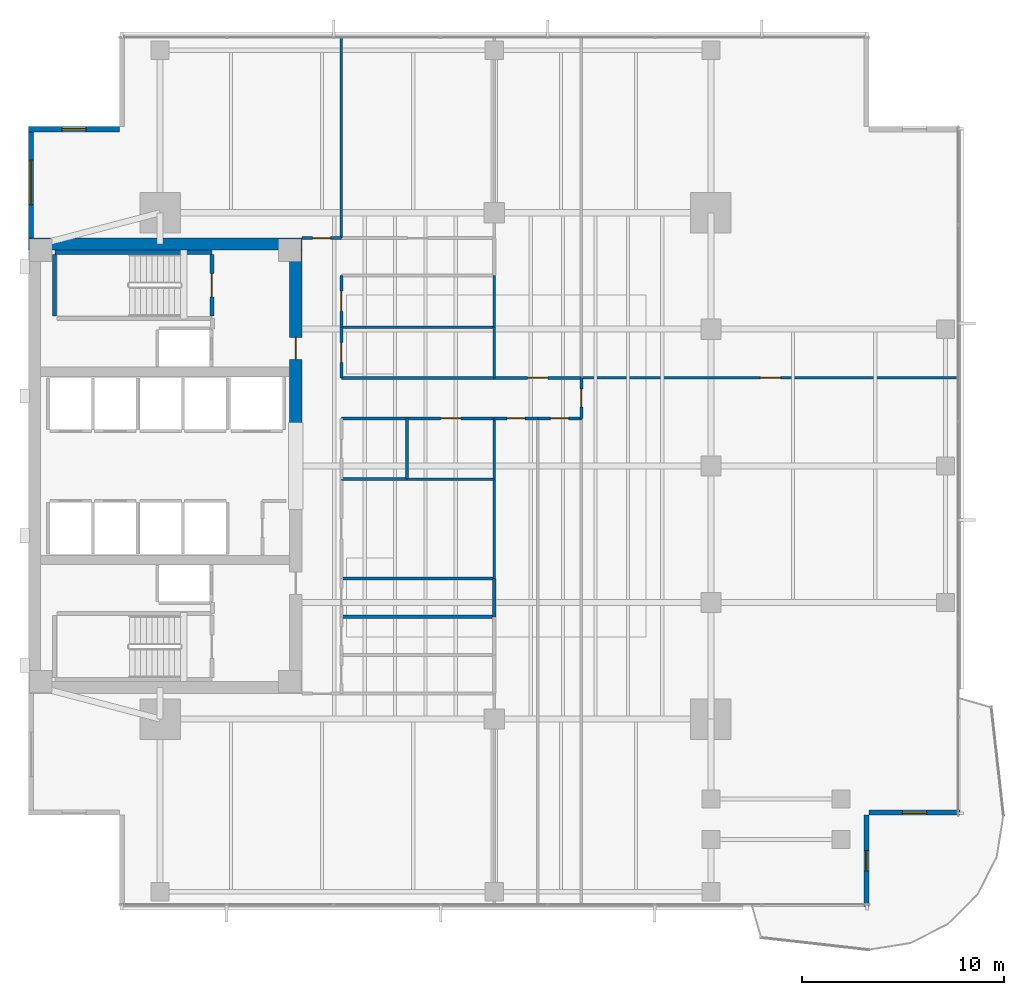
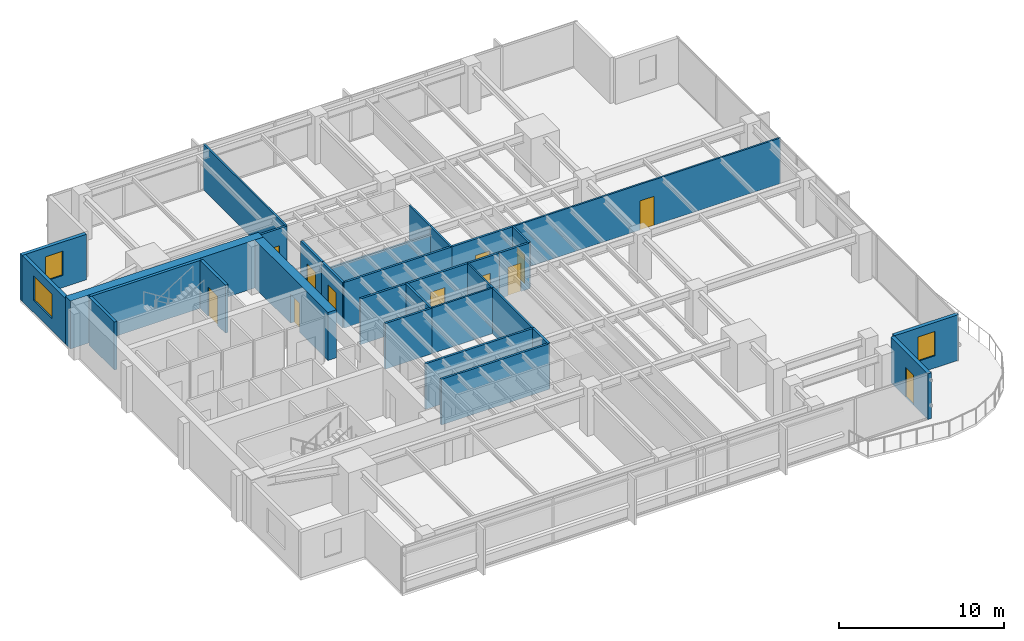
# One storey, part 9 of 14: 32 walls, 12 doors, 3 windows, 15 openings.
"""IFC4 building model written with IfcOpenShell, lengths in metres."""

from ifc_helpers import new_model, si_unit, direction, frame, frame_2d, origin, place, context, subcontext, project, spatial, rectangle, extrude, material, layer, layer_set, type_object, element, fill, save


model = new_model("IFC4")

# Units and contexts
model_context = context("Model", 3, precision=1e-05, world=origin(), true_north=direction((0.0, 1.0)))
body_context = subcontext(model_context, "Body", "Model", "MODEL_VIEW")
ifc_project = project(units=[si_unit("LENGTHUNIT", "METRE"), si_unit("AREAUNIT", "SQUARE_METRE"), si_unit("VOLUMEUNIT", "CUBIC_METRE"), si_unit("PLANEANGLEUNIT", "RADIAN"), si_unit("MASSUNIT", "GRAM", prefix="KILO")], contexts=[model_context])

# Site, building, storey
site_placement = place(None, origin())
site = spatial("IfcSite", under=ifc_project, at=site_placement, CompositionType="ELEMENT")
building_placement = place(site_placement, origin())
building = spatial("IfcBuilding", under=site, at=building_placement, Name="Kinhvarn Gate Tower", CompositionType="ELEMENT")
storey_placement = place(building_placement, frame((0.0, 0.0, 162.60009765625)))
storey = spatial("IfcBuildingStorey", under=building, at=storey_placement, Name="L43", CompositionType="ELEMENT", Elevation=162.60009765625)

# Wall
ifc_material_1 = material(Name="Concrete C60/75", Category="concrete")
ifc_layer_1 = layer(ifc_material_1, 0.60009765625)
ifc_layer_set_1 = layer_set([ifc_layer_1], Name="Concrete C60/75")
wall_type_1 = type_object("IfcWallType", Name="WL-CORE-600", PredefinedType="SHEAR", material=ifc_layer_set_1)
wall_1_placement = place(storey_placement, frame((4.5, 36.199951171875, 0.0), z_axis=(0.0, 0.0, 1.0), x_axis=(1.0, 0.0, 0.0)))
element("IfcWall", 1, at=wall_1_placement, inside=storey, type_object=wall_type_1, Name="Core North Shear Wall L43 600 mm", PredefinedType="SHEAR", context=body_context, shape_type="SweptSolid", body=[
    extrude(rectangle(XDim=13.5, YDim=0.60009765625, at=frame_2d((6.75, 0.0))), origin(), (0.0, 0.0, 1.0), 3.5498046875),
])

# Wall, opening, door
wall_2_placement = place(storey_placement, frame((17.699951171875, 27.050048828125, 0.0), z_axis=(0.0, 0.0, 1.0), x_axis=(0.0, 1.0, 0.0)))
wall_2 = element("IfcWall", 2, at=wall_2_placement, inside=storey, type_object=wall_type_1, Name="Core East-North Shear Pier L43 600 mm", PredefinedType="SHEAR", context=body_context, shape_type="SweptSolid", body=[
    extrude(rectangle(XDim=8.849853515625, YDim=0.60009765625, at=frame_2d((4.4248046875, 0.0))), origin(), (0.0, 0.0, 1.0), 3.5498046875),
])
opening_1_placement = place(wall_2_placement, frame((3.449951171875, 0.0, 0.0)))
opening_1 = element("IfcOpeningElement", 3, at=opening_1_placement, cuts=wall_2, Name="Opening FD-02", PredefinedType="OPENING", context=body_context, shape_type="SweptSolid", body=[
    extrude(rectangle(XDim=1.10009765625, YDim=2.14990234375, at=frame_2d((0.550048828125, 1.074951171875))), frame((0.0, 0.31005859375, 0.0), z_axis=(0.0, -1.0, 0.0), x_axis=(1.0, 0.0, 0.0)), (0.0, 0.0, 1.0), 0.6201171875),
])
ifc_material_2 = material(Name="Anodised aluminium AW-6063", Category="aluminium")
door_type_1 = type_object("IfcDoorType", Name="DR-FD-1100", OperationType="NOTDEFINED", PredefinedType="DOOR", material=ifc_material_2)
door_1_placement = place(opening_1_placement, origin())
door_1 = element("IfcDoor", 4, at=door_1_placement, inside=storey, type_object=door_type_1, Name="Firefighting Lobby Core Door (L43)", OperationType="SINGLE_SWING_LEFT", OverallHeight=2.14990234375, OverallWidth=1.10009765625, PredefinedType="DOOR", context=body_context, shape_type="SweptSolid", body=[
    extrude(rectangle(XDim=1.10009765625, YDim=2.14990234375, at=frame_2d((0.550048828125, 1.074951171875))), frame((0.0, 0.02490234375, 0.0), z_axis=(0.0, -1.0, 0.0), x_axis=(1.0, 0.0, 0.0)), (0.0, 0.0, 1.0), 0.050048828125),
])
fill(opening_1, door_1)

# Wall, opening, window
ifc_material_3 = material(Name="Fired architectural terracotta", Category="masonry")
ifc_layer_2 = layer(ifc_material_3, 0.25)
ifc_layer_set_2 = layer_set([ifc_layer_2], Name="Fired architectural terracotta")
wall_type_2 = type_object("IfcWallType", Name="WL-EXT-250", PredefinedType="SOLIDWALL", material=ifc_layer_set_2)
wall_3_placement = place(storey_placement, frame((4.625, 42.0, 0.0), z_axis=(0.0, 0.0, 1.0), x_axis=(0.0, -1.0, 0.0)))
wall_3 = element("IfcWall", 5, at=wall_3_placement, inside=storey, type_object=wall_type_2, Name="Exterior Solidwall Wall EW-250 (L43 West-North)", PredefinedType="SOLIDWALL", context=body_context, shape_type="SweptSolid", body=[
    extrude(rectangle(XDim=5.5, YDim=0.25, at=frame_2d((2.75, 0.0))), origin(), (0.0, 0.0, 1.0), 3.369873046875),
])
opening_2_placement = place(wall_3_placement, frame((1.64990234375, 0.0, 0.89990234375)))
opening_2 = element("IfcOpeningElement", 6, at=opening_2_placement, cuts=wall_3, Name="Opening WN-01", PredefinedType="OPENING", context=body_context, shape_type="SweptSolid", body=[
    extrude(rectangle(XDim=2.199951171875, YDim=1.800048828125, at=frame_2d((1.10009765625, 0.89990234375))), frame((0.0, 0.135009765625, 0.0), z_axis=(0.0, -1.0, 0.0), x_axis=(1.0, 0.0, 0.0)), (0.0, 0.0, 1.0), 0.27001953125),
])
ifc_material_4 = material(Name="Clear low-e double glazing", Category="glass")
window_type_1 = type_object("IfcWindowType", Name="WIN-RIB-2200", PartitioningType="SINGLE_PANEL", PredefinedType="WINDOW", material=ifc_material_4)
window_1_placement = place(opening_2_placement, origin())
window_1 = element("IfcWindow", 7, at=window_1_placement, inside=storey, type_object=window_type_1, Name="West Flank Double-Glazed Ribbon Window 2200x1800 mm (L43)", OverallHeight=1.800048828125, OverallWidth=2.199951171875, PartitioningType="SINGLE_PANEL", PredefinedType="WINDOW", context=body_context, shape_type="SweptSolid", body=[
    extrude(rectangle(XDim=2.199951171875, YDim=1.800048828125, at=frame_2d((1.10009765625, 0.89990234375))), frame((0.0, 0.030029296875, 0.0), z_axis=(0.0, -1.0, 0.0), x_axis=(1.0, 0.0, 0.0)), (0.0, 0.0, 1.0), 0.06005859375),
])
fill(opening_2, window_1)

# Wall, opening, door
wall_4_placement = place(storey_placement, frame((45.875, 3.5, 0.0), z_axis=(0.0, 0.0, 1.0), x_axis=(0.0, 1.0, 0.0)))
wall_4 = element("IfcWall", 8, at=wall_4_placement, inside=storey, type_object=wall_type_2, Name="Exterior Solidwall Wall EW-250 (L43 SE-Notch-Door)", PredefinedType="SOLIDWALL", context=body_context, shape_type="SweptSolid", body=[
    extrude(rectangle(XDim=4.5, YDim=0.25, at=frame_2d((2.25, 0.0))), origin(), (0.0, 0.0, 1.0), 3.369873046875),
])
opening_3_placement = place(wall_4_placement, frame((1.75, 0.0, 0.0)))
opening_3 = element("IfcOpeningElement", 9, at=opening_3_placement, cuts=wall_4, Name="Opening BD-01", PredefinedType="OPENING", context=body_context, shape_type="SweptSolid", body=[
    extrude(rectangle(XDim=1.0, YDim=2.199951171875, at=frame_2d((0.5, 1.10009765625))), frame((0.0, 0.135009765625, 0.0), z_axis=(0.0, -1.0, 0.0), x_axis=(1.0, 0.0, 0.0)), (0.0, 0.0, 1.0), 0.27001953125),
])
door_type_2 = type_object("IfcDoorType", Name="DR-BAL-1000", OperationType="NOTDEFINED", PredefinedType="DOOR", material=ifc_material_4)
door_2_placement = place(opening_3_placement, frame((1.0, 0.0, 0.0), z_axis=(0.0, 0.0, 1.0), x_axis=(-1.0, 0.0, 0.0)))
door_2 = element("IfcDoor", 10, at=door_2_placement, inside=storey, type_object=door_type_2, Name="S-Carve Balcony Door BD-01 (L43)", OperationType="SINGLE_SWING_LEFT", OverallHeight=2.199951171875, OverallWidth=1.0, PredefinedType="DOOR", context=body_context, shape_type="SweptSolid", body=[
    extrude(rectangle(XDim=1.0, YDim=2.199951171875, at=frame_2d((0.5, 1.10009765625))), frame((0.0, 0.02490234375, 0.0), z_axis=(0.0, -1.0, 0.0), x_axis=(1.0, 0.0, 0.0)), (0.0, 0.0, 1.0), 0.050048828125),
])
fill(opening_3, door_2)

# Wall, opening, window
wall_5_placement = place(storey_placement, frame((46.0, 8.125, 0.0), z_axis=(0.0, 0.0, 1.0), x_axis=(1.0, 0.0, 0.0)))
wall_5 = element("IfcWall", 11, at=wall_5_placement, inside=storey, type_object=wall_type_2, Name="Exterior Solidwall Wall EW-250 (L43 SE-Notch-Win)", PredefinedType="SOLIDWALL", context=body_context, shape_type="SweptSolid", body=[
    extrude(rectangle(XDim=4.5, YDim=0.25, at=frame_2d((2.25, 0.0))), origin(), (0.0, 0.0, 1.0), 3.369873046875),
])
opening_4_placement = place(wall_5_placement, frame((1.64990234375, 0.0, 0.89990234375)))
opening_4 = element("IfcOpeningElement", 12, at=opening_4_placement, cuts=wall_5, Name="Opening WN-02", PredefinedType="OPENING", context=body_context, shape_type="SweptSolid", body=[
    extrude(rectangle(XDim=1.199951171875, YDim=1.800048828125, at=frame_2d((0.60009765625, 0.89990234375))), frame((0.0, 0.135009765625, 0.0), z_axis=(0.0, -1.0, 0.0), x_axis=(1.0, 0.0, 0.0)), (0.0, 0.0, 1.0), 0.27001953125),
])
window_type_2 = type_object("IfcWindowType", Name="WIN-NTC-1200", PartitioningType="SINGLE_PANEL", PredefinedType="WINDOW", material=ifc_material_4)
window_2_placement = place(opening_4_placement, origin())
window_2 = element("IfcWindow", 13, at=window_2_placement, inside=storey, type_object=window_type_2, Name="Recessed Corner Notch Punched Window 1200x1800 mm (L43)", OverallHeight=1.800048828125, OverallWidth=1.199951171875, PartitioningType="SINGLE_PANEL", PredefinedType="WINDOW", context=body_context, shape_type="SweptSolid", body=[
    extrude(rectangle(XDim=1.199951171875, YDim=1.800048828125, at=frame_2d((0.60009765625, 0.89990234375))), frame((0.0, 0.030029296875, 0.0), z_axis=(0.0, -1.0, 0.0), x_axis=(1.0, 0.0, 0.0)), (0.0, 0.0, 1.0), 0.06005859375),
])
fill(opening_4, window_2)

wall_6_placement = place(storey_placement, frame((9.0, 41.875, 0.0), z_axis=(0.0, 0.0, 1.0), x_axis=(-1.0, 0.0, 0.0)))
wall_6 = element("IfcWall", 14, at=wall_6_placement, inside=storey, type_object=wall_type_2, Name="Exterior Solidwall Wall EW-250 (L43 NW-Notch-2)", PredefinedType="SOLIDWALL", context=body_context, shape_type="SweptSolid", body=[
    extrude(rectangle(XDim=4.5, YDim=0.25, at=frame_2d((2.25, 0.0))), origin(), (0.0, 0.0, 1.0), 3.369873046875),
])
opening_5_placement = place(wall_6_placement, frame((1.64990234375, 0.0, 0.89990234375)))
opening_5 = element("IfcOpeningElement", 15, at=opening_5_placement, cuts=wall_6, Name="Opening WN-02", PredefinedType="OPENING", context=body_context, shape_type="SweptSolid", body=[
    extrude(rectangle(XDim=1.199951171875, YDim=1.800048828125, at=frame_2d((0.60009765625, 0.89990234375))), frame((0.0, 0.135009765625, 0.0), z_axis=(0.0, -1.0, 0.0), x_axis=(1.0, 0.0, 0.0)), (0.0, 0.0, 1.0), 0.27001953125),
])
window_3_placement = place(opening_5_placement, origin())
window_3 = element("IfcWindow", 16, at=window_3_placement, inside=storey, type_object=window_type_2, Name="Recessed Corner Notch Punched Window 1200x1800 mm (L43)", OverallHeight=1.800048828125, OverallWidth=1.199951171875, PartitioningType="SINGLE_PANEL", PredefinedType="WINDOW", context=body_context, shape_type="SweptSolid", body=[
    extrude(rectangle(XDim=1.199951171875, YDim=1.800048828125, at=frame_2d((0.60009765625, 0.89990234375))), frame((0.0, 0.030029296875, 0.0), z_axis=(0.0, -1.0, 0.0), x_axis=(1.0, 0.0, 0.0)), (0.0, 0.0, 1.0), 0.06005859375),
])
fill(opening_5, window_3)

# Walls
ifc_material_5 = material(Name="Gypsum acoustic partition board")
ifc_layer_3 = layer(ifc_material_5, 0.14990234375)
ifc_layer_set_3 = layer_set([ifc_layer_3], Name="Gypsum acoustic partition board")
wall_type_3 = type_object("IfcWallType", Name="WL-PLM-150", PredefinedType="PLUMBINGWALL", material=ifc_layer_set_3)
wall_7_placement = place(storey_placement, frame((23.199951171875, 24.60009765625, 0.0), z_axis=(0.0, 0.0, 1.0), x_axis=(0.0, 1.0, 0.0)))
element("IfcWall", 17, at=wall_7_placement, inside=storey, type_object=wall_type_3, Name="Interior Partition PLW-150 (L43)", PredefinedType="PLUMBINGWALL", context=body_context, shape_type="SweptSolid", body=[
    extrude(rectangle(XDim=3.0, YDim=0.14990234375, at=frame_2d((1.5, 0.0))), origin(), (0.0, 0.0, 1.0), 3.369873046875),
])
wall_8_placement = place(storey_placement, frame((19.949951171875, 24.60009765625, 0.0), z_axis=(0.0, 0.0, 1.0), x_axis=(1.0, 0.0, 0.0)))
element("IfcWall", 18, at=wall_8_placement, inside=storey, type_object=wall_type_3, Name="Interior Partition PLW-150 (L43)", PredefinedType="PLUMBINGWALL", context=body_context, shape_type="SweptSolid", body=[
    extrude(rectangle(XDim=3.25, YDim=0.14990234375, at=frame_2d((1.625, 0.0))), origin(), (0.0, 0.0, 1.0), 3.369873046875),
])
for number, where, z_axis, x_axis, name in (
    (19, (19.949951171875, 19.699951171875, 0.0), (0.0, 0.0, 1.0), (1.0, 0.0, 0.0), "Interior Partition PLW-150 (L43)"),
    (20, (19.949951171875, 17.800048828125, 0.0), (0.0, 0.0, 1.0), (1.0, 0.0, 0.0), "Interior Partition PLW-150 (L43)"),
):
    element("IfcWall", number, at=place(storey_placement, frame(where, z_axis=z_axis, x_axis=x_axis)), inside=storey, type_object=wall_type_3, Name=name, PredefinedType="PLUMBINGWALL", context=body_context, shape_type="SweptSolid", body=[
        extrude(rectangle(XDim=7.550048828125, YDim=0.14990234375, at=frame_2d((3.77490234375, 0.0))), origin(), (0.0, 0.0, 1.0), 3.369873046875),
    ])
wall_9_placement = place(storey_placement, frame((27.5, 17.800048828125, 0.0), z_axis=(0.0, 0.0, 1.0), x_axis=(0.0, 1.0, 0.0)))
element("IfcWall", 21, at=wall_9_placement, inside=storey, type_object=wall_type_3, Name="Interior Partition PLW-150 (L43)", PredefinedType="PLUMBINGWALL", context=body_context, shape_type="SweptSolid", body=[
    extrude(rectangle(XDim=1.89990234375, YDim=0.14990234375, at=frame_2d((0.949951171875, 0.0))), origin(), (0.0, 0.0, 1.0), 3.369873046875),
])
ifc_layer_4 = layer(ifc_material_5, 0.14990234375)
ifc_layer_set_4 = layer_set([ifc_layer_4], Name="Gypsum acoustic partition board")
wall_type_4 = type_object("IfcWallType", Name="WL-PLM-150F", PredefinedType="PLUMBINGWALL", material=ifc_layer_set_4)
wall_10_placement = place(storey_placement, frame((19.949951171875, 27.60009765625, 0.0), z_axis=(0.0, 0.0, 1.0), x_axis=(1.0, 0.0, 0.0)))
element("IfcWall", 22, at=wall_10_placement, inside=storey, type_object=wall_type_4, Name="Interior Partition PLW-150F (L43)", PredefinedType="PLUMBINGWALL", context=body_context, shape_type="SweptSolid", body=[
    extrude(rectangle(XDim=3.25, YDim=0.14990234375, at=frame_2d((1.625, 0.0))), origin(), (0.0, 0.0, 1.0), 3.369873046875),
])
ifc_layer_5 = layer(ifc_material_5, 0.1201171875)
ifc_layer_set_5 = layer_set([ifc_layer_5], Name="Gypsum acoustic partition board")
wall_type_5 = type_object("IfcWallType", Name="WL-PRT-120", PredefinedType="PARTITIONING", material=ifc_layer_set_5)
wall_11_placement = place(storey_placement, frame((23.199951171875, 24.60009765625, 0.0), z_axis=(0.0, 0.0, 1.0), x_axis=(1.0, 0.0, 0.0)))
element("IfcWall", 23, at=wall_11_placement, inside=storey, type_object=wall_type_5, Name="Interior Partition PW-120 (L43)", PredefinedType="PARTITIONING", context=body_context, shape_type="SweptSolid", body=[
    extrude(rectangle(XDim=4.300048828125, YDim=0.1201171875, at=frame_2d((2.14990234375, 0.0))), origin(), (0.0, 0.0, 1.0), 3.369873046875),
])
wall_12_placement = place(storey_placement, frame((27.5, 24.60009765625, 0.0), z_axis=(0.0, 0.0, 1.0), x_axis=(0.0, 1.0, 0.0)))
element("IfcWall", 24, at=wall_12_placement, inside=storey, type_object=wall_type_5, Name="Interior Partition PW-120 (L43)", PredefinedType="PARTITIONING", context=body_context, shape_type="SweptSolid", body=[
    extrude(rectangle(XDim=3.0, YDim=0.1201171875, at=frame_2d((1.5, 0.0))), origin(), (0.0, 0.0, 1.0), 3.369873046875),
])
wall_13_placement = place(storey_placement, frame((27.5, 19.699951171875, 0.0), z_axis=(0.0, 0.0, 1.0), x_axis=(0.0, 1.0, 0.0)))
element("IfcWall", 25, at=wall_13_placement, inside=storey, type_object=wall_type_5, Name="Interior Partition PW-120 (L43)", PredefinedType="PARTITIONING", context=body_context, shape_type="SweptSolid", body=[
    extrude(rectangle(XDim=4.900146484375, YDim=0.1201171875, at=frame_2d((2.4501953125, 0.0))), origin(), (0.0, 0.0, 1.0), 3.369873046875),
])
wall_14_placement = place(storey_placement, frame((19.949951171875, 32.10009765625, 0.0), z_axis=(0.0, 0.0, 1.0), x_axis=(1.0, 0.0, 0.0)))
element("IfcWall", 26, at=wall_14_placement, inside=storey, type_object=wall_type_5, Name="Interior Partition PW-120 (L43)", PredefinedType="PARTITIONING", context=body_context, shape_type="SweptSolid", body=[
    extrude(rectangle(XDim=7.550048828125, YDim=0.1201171875, at=frame_2d((3.77490234375, 0.0))), origin(), (0.0, 0.0, 1.0), 2.77001953125),
])
wall_15_placement = place(storey_placement, frame((27.5, 29.60009765625, 0.0), z_axis=(0.0, 0.0, 1.0), x_axis=(0.0, 1.0, 0.0)))
element("IfcWall", 27, at=wall_15_placement, inside=storey, type_object=wall_type_5, Name="Interior Partition PW-120 (L43)", PredefinedType="PARTITIONING", context=body_context, shape_type="SweptSolid", body=[
    extrude(rectangle(XDim=2.5, YDim=0.1201171875, at=frame_2d((1.25, 0.0))), origin(), (0.0, 0.0, 1.0), 3.369873046875),
])
wall_16_placement = place(storey_placement, frame((27.5, 32.10009765625, 0.0), z_axis=(0.0, 0.0, 1.0), x_axis=(0.0, 1.0, 0.0)))
element("IfcWall", 28, at=wall_16_placement, inside=storey, type_object=wall_type_5, Name="Interior Partition PW-120 (L43)", PredefinedType="PARTITIONING", context=body_context, shape_type="SweptSolid", body=[
    extrude(rectangle(XDim=2.5498046875, YDim=0.1201171875, at=frame_2d((1.27490234375, 0.0))), origin(), (0.0, 0.0, 1.0), 3.369873046875),
])
wall_17_placement = place(storey_placement, frame((19.949951171875, 36.5, 0.0), z_axis=(0.0, 0.0, 1.0), x_axis=(0.0, 1.0, 0.0)))
element("IfcWall", 29, at=wall_17_placement, inside=storey, type_object=wall_type_5, Name="Interior Partition PW-120 (L43)", PredefinedType="PARTITIONING", context=body_context, shape_type="SweptSolid", body=[
    extrude(rectangle(XDim=9.989990234375, YDim=0.1201171875, at=frame_2d((4.9951171875, 0.0))), origin(), (0.0, 0.0, 1.0), 3.369873046875),
])

# Wall, opening, door
wall_18_placement = place(storey_placement, frame((31.800048828125, 29.60009765625, 0.0), z_axis=(0.0, 0.0, 1.0), x_axis=(1.0, 0.0, 0.0)))
wall_18 = element("IfcWall", 30, at=wall_18_placement, inside=storey, type_object=wall_type_5, Name="Interior Partition PW-120 (L43)", PredefinedType="PARTITIONING", context=body_context, shape_type="SweptSolid", body=[
    extrude(rectangle(XDim=18.68994140625, YDim=0.1201171875, at=frame_2d((9.344970703125, 0.0))), origin(), (0.0, 0.0, 1.0), 3.369873046875),
])
opening_6_placement = place(wall_18_placement, frame((8.844970703125, 0.0, 0.0)))
opening_6 = element("IfcOpeningElement", 31, at=opening_6_placement, cuts=wall_18, Name="Opening ID-02", PredefinedType="OPENING", context=body_context, shape_type="SweptSolid", body=[
    extrude(rectangle(XDim=1.0, YDim=2.14990234375, at=frame_2d((0.5, 1.074951171875))), frame((0.0, 0.070068359375, 0.0), z_axis=(0.0, -1.0, 0.0), x_axis=(1.0, 0.0, 0.0)), (0.0, 0.0, 1.0), 0.14013671875),
])
door_type_3 = type_object("IfcDoorType", Name="DR-INT-1000", OperationType="NOTDEFINED", PredefinedType="DOOR", material=ifc_material_2)
door_3_placement = place(opening_6_placement, origin())
door_3 = element("IfcDoor", 32, at=door_3_placement, inside=storey, type_object=door_type_3, Name="Standard Office & Meeting Room Door 1000x2150 mm (L43)", OperationType="SINGLE_SWING_LEFT", OverallHeight=2.14990234375, OverallWidth=1.0, PredefinedType="DOOR", context=body_context, shape_type="SweptSolid", body=[
    extrude(rectangle(XDim=1.0, YDim=2.14990234375, at=frame_2d((0.5, 1.074951171875))), frame((0.0, 0.02490234375, 0.0), z_axis=(0.0, -1.0, 0.0), x_axis=(1.0, 0.0, 0.0)), (0.0, 0.0, 1.0), 0.050048828125),
])
fill(opening_6, door_3)

ifc_layer_6 = layer(ifc_material_5, 0.14990234375)
ifc_layer_set_6 = layer_set([ifc_layer_6], Name="Gypsum acoustic partition board")
wall_type_6 = type_object("IfcWallType", Name="WL-PRT-150F", PredefinedType="PARTITIONING", material=ifc_layer_set_6)
wall_19_placement = place(storey_placement, frame((19.949951171875, 29.60009765625, 0.0), z_axis=(0.0, 0.0, 1.0), x_axis=(0.0, 1.0, 0.0)))
wall_19 = element("IfcWall", 33, at=wall_19_placement, inside=storey, type_object=wall_type_6, Name="Interior Partition PW-150F (L43)", PredefinedType="PARTITIONING", context=body_context, shape_type="SweptSolid", body=[
    extrude(rectangle(XDim=2.5, YDim=0.14990234375, at=frame_2d((1.25, 0.0))), origin(), (0.0, 0.0, 1.0), 3.369873046875),
])
opening_7_placement = place(wall_19_placement, frame((0.75, 0.0, 0.0)))
opening_7 = element("IfcOpeningElement", 34, at=opening_7_placement, cuts=wall_19, Name="Opening ID-02", PredefinedType="OPENING", context=body_context, shape_type="SweptSolid", body=[
    extrude(rectangle(XDim=1.0, YDim=2.14990234375, at=frame_2d((0.5, 1.074951171875))), frame((0.0, 0.0849609375, 0.0), z_axis=(0.0, -1.0, 0.0), x_axis=(1.0, 0.0, 0.0)), (0.0, 0.0, 1.0), 0.169921875),
])
door_4_placement = place(opening_7_placement, origin())
door_4 = element("IfcDoor", 35, at=door_4_placement, inside=storey, type_object=door_type_3, Name="Standard Office & Meeting Room Door 1000x2150 mm (L43)", OperationType="SINGLE_SWING_LEFT", OverallHeight=2.14990234375, OverallWidth=1.0, PredefinedType="DOOR", context=body_context, shape_type="SweptSolid", body=[
    extrude(rectangle(XDim=1.0, YDim=2.14990234375, at=frame_2d((0.5, 1.074951171875))), frame((0.0, 0.02490234375, 0.0), z_axis=(0.0, -1.0, 0.0), x_axis=(1.0, 0.0, 0.0)), (0.0, 0.0, 1.0), 0.050048828125),
])
fill(opening_7, door_4)

wall_20_placement = place(storey_placement, frame((19.949951171875, 32.10009765625, 0.0), z_axis=(0.0, 0.0, 1.0), x_axis=(0.0, 1.0, 0.0)))
wall_20 = element("IfcWall", 36, at=wall_20_placement, inside=storey, type_object=wall_type_6, Name="Interior Partition PW-150F (L43)", PredefinedType="PARTITIONING", context=body_context, shape_type="SweptSolid", body=[
    extrude(rectangle(XDim=2.5498046875, YDim=0.14990234375, at=frame_2d((1.27490234375, 0.0))), origin(), (0.0, 0.0, 1.0), 3.369873046875),
])
opening_8_placement = place(wall_20_placement, frame((0.77490234375, 0.0, 0.0)))
opening_8 = element("IfcOpeningElement", 37, at=opening_8_placement, cuts=wall_20, Name="Opening ID-02", PredefinedType="OPENING", context=body_context, shape_type="SweptSolid", body=[
    extrude(rectangle(XDim=1.0, YDim=2.14990234375, at=frame_2d((0.5, 1.074951171875))), frame((0.0, 0.0849609375, 0.0), z_axis=(0.0, -1.0, 0.0), x_axis=(1.0, 0.0, 0.0)), (0.0, 0.0, 1.0), 0.169921875),
])
door_5_placement = place(opening_8_placement, origin())
door_5 = element("IfcDoor", 38, at=door_5_placement, inside=storey, type_object=door_type_3, Name="Standard Office & Meeting Room Door 1000x2150 mm (L43)", OperationType="SINGLE_SWING_RIGHT", OverallHeight=2.14990234375, OverallWidth=1.0, PredefinedType="DOOR", context=body_context, shape_type="SweptSolid", body=[
    extrude(rectangle(XDim=1.0, YDim=2.14990234375, at=frame_2d((0.5, 1.074951171875))), frame((0.0, 0.02490234375, 0.0), z_axis=(0.0, -1.0, 0.0), x_axis=(1.0, 0.0, 0.0)), (0.0, 0.0, 1.0), 0.050048828125),
])
fill(opening_8, door_5)

wall_21_placement = place(storey_placement, frame((18.0, 36.5, 0.0), z_axis=(0.0, 0.0, 1.0), x_axis=(1.0, 0.0, 0.0)))
wall_21 = element("IfcWall", 39, at=wall_21_placement, inside=storey, type_object=wall_type_6, Name="Interior Partition PW-150F (L43)", PredefinedType="PARTITIONING", context=body_context, shape_type="SweptSolid", body=[
    extrude(rectangle(XDim=1.949951171875, YDim=0.14990234375, at=frame_2d((0.97509765625, 0.0))), origin(), (0.0, 0.0, 1.0), 3.369873046875),
])
opening_9_placement = place(wall_21_placement, frame((0.52490234375, 0.0, 0.0)))
opening_9 = element("IfcOpeningElement", 40, at=opening_9_placement, cuts=wall_21, Name="Opening ID-03", PredefinedType="OPENING", context=body_context, shape_type="SweptSolid", body=[
    extrude(rectangle(XDim=0.89990234375, YDim=2.10009765625, at=frame_2d((0.449951171875, 1.050048828125))), frame((0.0, 0.0849609375, 0.0), z_axis=(0.0, -1.0, 0.0), x_axis=(1.0, 0.0, 0.0)), (0.0, 0.0, 1.0), 0.169921875),
])
door_type_4 = type_object("IfcDoorType", Name="DR-INT-900", OperationType="NOTDEFINED", PredefinedType="DOOR", material=ifc_material_2)
door_6_placement = place(opening_9_placement, origin())
door_6 = element("IfcDoor", 41, at=door_6_placement, inside=storey, type_object=door_type_4, Name="Cellular Office & Restroom Door 900x2100 mm (L43)", OperationType="SINGLE_SWING_RIGHT", OverallHeight=2.10009765625, OverallWidth=0.89990234375, PredefinedType="DOOR", context=body_context, shape_type="SweptSolid", body=[
    extrude(rectangle(XDim=0.89990234375, YDim=2.10009765625, at=frame_2d((0.449951171875, 1.050048828125))), frame((0.0, 0.02490234375, 0.0), z_axis=(0.0, -1.0, 0.0), x_axis=(1.0, 0.0, 0.0)), (0.0, 0.0, 1.0), 0.050048828125),
])
fill(opening_9, door_6)

wall_22_placement = place(storey_placement, frame((23.199951171875, 27.60009765625, 0.0), z_axis=(0.0, 0.0, 1.0), x_axis=(1.0, 0.0, 0.0)))
wall_22 = element("IfcWall", 42, at=wall_22_placement, inside=storey, type_object=wall_type_6, Name="Interior Partition PW-150F (L43)", PredefinedType="PARTITIONING", context=body_context, shape_type="SweptSolid", body=[
    extrude(rectangle(XDim=4.300048828125, YDim=0.14990234375, at=frame_2d((2.14990234375, 0.0))), origin(), (0.0, 0.0, 1.0), 3.369873046875),
])
opening_10_placement = place(wall_22_placement, frame((1.64990234375, 0.0, 0.0)))
opening_10 = element("IfcOpeningElement", 43, at=opening_10_placement, cuts=wall_22, Name="Opening ID-02", PredefinedType="OPENING", context=body_context, shape_type="SweptSolid", body=[
    extrude(rectangle(XDim=1.0, YDim=2.14990234375, at=frame_2d((0.5, 1.074951171875))), frame((0.0, 0.0849609375, 0.0), z_axis=(0.0, -1.0, 0.0), x_axis=(1.0, 0.0, 0.0)), (0.0, 0.0, 1.0), 0.169921875),
])
door_7_placement = place(opening_10_placement, origin())
door_7 = element("IfcDoor", 44, at=door_7_placement, inside=storey, type_object=door_type_3, Name="Standard Office & Meeting Room Door 1000x2150 mm (L43)", OperationType="SINGLE_SWING_LEFT", OverallHeight=2.14990234375, OverallWidth=1.0, PredefinedType="DOOR", context=body_context, shape_type="SweptSolid", body=[
    extrude(rectangle(XDim=1.0, YDim=2.14990234375, at=frame_2d((0.5, 1.074951171875))), frame((0.0, 0.02490234375, 0.0), z_axis=(0.0, -1.0, 0.0), x_axis=(1.0, 0.0, 0.0)), (0.0, 0.0, 1.0), 0.050048828125),
])
fill(opening_10, door_7)

# Wall
wall_23_placement = place(storey_placement, frame((19.949951171875, 29.60009765625, 0.0), z_axis=(0.0, 0.0, 1.0), x_axis=(1.0, 0.0, 0.0)))
element("IfcWall", 45, at=wall_23_placement, inside=storey, type_object=wall_type_6, Name="Interior Partition PW-150F (L43)", PredefinedType="PARTITIONING", context=body_context, shape_type="SweptSolid", body=[
    extrude(rectangle(XDim=7.550048828125, YDim=0.14990234375, at=frame_2d((3.77490234375, 0.0))), origin(), (0.0, 0.0, 1.0), 3.369873046875),
])

# Wall, opening, door
wall_24_placement = place(storey_placement, frame((27.5, 27.60009765625, 0.0), z_axis=(0.0, 0.0, 1.0), x_axis=(1.0, 0.0, 0.0)))
wall_24 = element("IfcWall", 46, at=wall_24_placement, inside=storey, type_object=wall_type_6, Name="Interior Partition PW-150F (L43)", PredefinedType="PARTITIONING", context=body_context, shape_type="SweptSolid", body=[
    extrude(rectangle(XDim=2.14990234375, YDim=0.14990234375, at=frame_2d((1.074951171875, 0.0))), origin(), (0.0, 0.0, 1.0), 3.369873046875),
])
opening_11_placement = place(wall_24_placement, frame((0.625, 0.0, 0.0)))
opening_11 = element("IfcOpeningElement", 47, at=opening_11_placement, cuts=wall_24, Name="Opening ID-03", PredefinedType="OPENING", context=body_context, shape_type="SweptSolid", body=[
    extrude(rectangle(XDim=0.89990234375, YDim=2.10009765625, at=frame_2d((0.449951171875, 1.050048828125))), frame((0.0, 0.0849609375, 0.0), z_axis=(0.0, -1.0, 0.0), x_axis=(1.0, 0.0, 0.0)), (0.0, 0.0, 1.0), 0.169921875),
])
door_8_placement = place(opening_11_placement, origin())
door_8 = element("IfcDoor", 48, at=door_8_placement, inside=storey, type_object=door_type_4, Name="Cellular Office & Restroom Door 900x2100 mm (L43)", OperationType="SINGLE_SWING_RIGHT", OverallHeight=2.10009765625, OverallWidth=0.89990234375, PredefinedType="DOOR", context=body_context, shape_type="SweptSolid", body=[
    extrude(rectangle(XDim=0.89990234375, YDim=2.10009765625, at=frame_2d((0.449951171875, 1.050048828125))), frame((0.0, 0.02490234375, 0.0), z_axis=(0.0, -1.0, 0.0), x_axis=(1.0, 0.0, 0.0)), (0.0, 0.0, 1.0), 0.050048828125),
])
fill(opening_11, door_8)

wall_25_placement = place(storey_placement, frame((29.64990234375, 27.60009765625, 0.0), z_axis=(0.0, 0.0, 1.0), x_axis=(1.0, 0.0, 0.0)))
wall_25 = element("IfcWall", 49, at=wall_25_placement, inside=storey, type_object=wall_type_6, Name="Interior Partition PW-150F (L43)", PredefinedType="PARTITIONING", context=body_context, shape_type="SweptSolid", body=[
    extrude(rectangle(XDim=2.150146484375, YDim=0.14990234375, at=frame_2d((1.0751953125, 0.0))), origin(), (0.0, 0.0, 1.0), 3.369873046875),
])
opening_12_placement = place(wall_25_placement, frame((0.625, 0.0, 0.0)))
opening_12 = element("IfcOpeningElement", 50, at=opening_12_placement, cuts=wall_25, Name="Opening ID-03", PredefinedType="OPENING", context=body_context, shape_type="SweptSolid", body=[
    extrude(rectangle(XDim=0.89990234375, YDim=2.10009765625, at=frame_2d((0.449951171875, 1.050048828125))), frame((0.0, 0.0849609375, 0.0), z_axis=(0.0, -1.0, 0.0), x_axis=(1.0, 0.0, 0.0)), (0.0, 0.0, 1.0), 0.169921875),
])
door_9_placement = place(opening_12_placement, origin())
door_9 = element("IfcDoor", 51, at=door_9_placement, inside=storey, type_object=door_type_4, Name="Cellular Office & Restroom Door 900x2100 mm (L43)", OperationType="SINGLE_SWING_LEFT", OverallHeight=2.10009765625, OverallWidth=0.89990234375, PredefinedType="DOOR", context=body_context, shape_type="SweptSolid", body=[
    extrude(rectangle(XDim=0.89990234375, YDim=2.10009765625, at=frame_2d((0.449951171875, 1.050048828125))), frame((0.0, 0.02490234375, 0.0), z_axis=(0.0, -1.0, 0.0), x_axis=(1.0, 0.0, 0.0)), (0.0, 0.0, 1.0), 0.050048828125),
])
fill(opening_12, door_9)

wall_26_placement = place(storey_placement, frame((27.5, 29.60009765625, 0.0), z_axis=(0.0, 0.0, 1.0), x_axis=(1.0, 0.0, 0.0)))
wall_26 = element("IfcWall", 52, at=wall_26_placement, inside=storey, type_object=wall_type_6, Name="Interior Partition PW-150F (L43)", PredefinedType="PARTITIONING", context=body_context, shape_type="SweptSolid", body=[
    extrude(rectangle(XDim=4.300048828125, YDim=0.14990234375, at=frame_2d((2.14990234375, 0.0))), origin(), (0.0, 0.0, 1.0), 3.369873046875),
])
opening_13_placement = place(wall_26_placement, frame((1.64990234375, 0.0, 0.0)))
opening_13 = element("IfcOpeningElement", 53, at=opening_13_placement, cuts=wall_26, Name="Opening ID-02", PredefinedType="OPENING", context=body_context, shape_type="SweptSolid", body=[
    extrude(rectangle(XDim=1.0, YDim=2.14990234375, at=frame_2d((0.5, 1.074951171875))), frame((0.0, 0.0849609375, 0.0), z_axis=(0.0, -1.0, 0.0), x_axis=(1.0, 0.0, 0.0)), (0.0, 0.0, 1.0), 0.169921875),
])
door_10_placement = place(opening_13_placement, origin())
door_10 = element("IfcDoor", 54, at=door_10_placement, inside=storey, type_object=door_type_3, Name="Standard Office & Meeting Room Door 1000x2150 mm (L43)", OperationType="SINGLE_SWING_RIGHT", OverallHeight=2.14990234375, OverallWidth=1.0, PredefinedType="DOOR", context=body_context, shape_type="SweptSolid", body=[
    extrude(rectangle(XDim=1.0, YDim=2.14990234375, at=frame_2d((0.5, 1.074951171875))), frame((0.0, 0.02490234375, 0.0), z_axis=(0.0, -1.0, 0.0), x_axis=(1.0, 0.0, 0.0)), (0.0, 0.0, 1.0), 0.050048828125),
])
fill(opening_13, door_10)

wall_27_placement = place(storey_placement, frame((31.800048828125, 27.60009765625, 0.0), z_axis=(0.0, 0.0, 1.0), x_axis=(0.0, 1.0, 0.0)))
wall_27 = element("IfcWall", 55, at=wall_27_placement, inside=storey, type_object=wall_type_6, Name="Interior Partition PW-150F (L43)", PredefinedType="PARTITIONING", context=body_context, shape_type="SweptSolid", body=[
    extrude(rectangle(XDim=2.0, YDim=0.14990234375, at=frame_2d((1.0, 0.0))), origin(), (0.0, 0.0, 1.0), 3.369873046875),
])
opening_14_placement = place(wall_27_placement, frame((0.550048828125, 0.0, 0.0)))
opening_14 = element("IfcOpeningElement", 56, at=opening_14_placement, cuts=wall_27, Name="Opening ID-03", PredefinedType="OPENING", context=body_context, shape_type="SweptSolid", body=[
    extrude(rectangle(XDim=0.89990234375, YDim=2.10009765625, at=frame_2d((0.449951171875, 1.050048828125))), frame((0.0, 0.0849609375, 0.0), z_axis=(0.0, -1.0, 0.0), x_axis=(1.0, 0.0, 0.0)), (0.0, 0.0, 1.0), 0.169921875),
])
door_11_placement = place(opening_14_placement, origin())
door_11 = element("IfcDoor", 57, at=door_11_placement, inside=storey, type_object=door_type_4, Name="Cellular Office & Restroom Door 900x2100 mm (L43)", OperationType="SINGLE_SWING_LEFT", OverallHeight=2.10009765625, OverallWidth=0.89990234375, PredefinedType="DOOR", context=body_context, shape_type="SweptSolid", body=[
    extrude(rectangle(XDim=0.89990234375, YDim=2.10009765625, at=frame_2d((0.449951171875, 1.050048828125))), frame((0.0, 0.02490234375, 0.0), z_axis=(0.0, -1.0, 0.0), x_axis=(1.0, 0.0, 0.0)), (0.0, 0.0, 1.0), 0.050048828125),
])
fill(opening_14, door_11)

# Walls
ifc_material_6 = material(Name="Concrete C40/50", Category="concrete")
ifc_layer_7 = layer(ifc_material_6, 0.199951171875)
ifc_layer_set_7 = layer_set([ifc_layer_7], Name="Concrete C40/50")
wall_type_7 = type_object("IfcWallType", Name="WL-SHF-200", PredefinedType="SOLIDWALL", material=ifc_layer_set_7)
wall_28_placement = place(storey_placement, frame((5.800048828125, 35.800048828125, 0.0), z_axis=(0.0, 0.0, 1.0), x_axis=(1.0, 0.0, 0.0)))
element("IfcWall", 58, at=wall_28_placement, inside=storey, type_object=wall_type_7, Name="Stair ST2 North Shaft Wall (L43)", PredefinedType="SOLIDWALL", context=body_context, shape_type="SweptSolid", body=[
    extrude(rectangle(XDim=7.75, YDim=0.199951171875, at=frame_2d((3.875, 0.0))), origin(), (0.0, 0.0, 1.0), 3.5498046875),
])
wall_29_placement = place(storey_placement, frame((5.7900390625, 32.64990234375, 0.0), z_axis=(0.0, 0.0, 1.0), x_axis=(0.0, 1.0, 0.0)))
element("IfcWall", 59, at=wall_29_placement, inside=storey, type_object=wall_type_7, Name="Stair ST2 West Shaft Wall (L43)", PredefinedType="SOLIDWALL", context=body_context, shape_type="SweptSolid", body=[
    extrude(rectangle(XDim=3.050048828125, YDim=0.199951171875, at=frame_2d((1.52490234375, 0.0))), origin(), (0.0, 0.0, 1.0), 3.5498046875),
])

# Wall, opening, door
wall_30_placement = place(storey_placement, frame((13.56005859375, 32.64990234375, 0.0), z_axis=(0.0, 0.0, 1.0), x_axis=(0.0, 1.0, 0.0)))
wall_30 = element("IfcWall", 60, at=wall_30_placement, inside=storey, type_object=wall_type_7, Name="Stair ST2 East Entry Wall (L43)", PredefinedType="SOLIDWALL", context=body_context, shape_type="SweptSolid", body=[
    extrude(rectangle(XDim=3.050048828125, YDim=0.199951171875, at=frame_2d((1.52490234375, 0.0))), origin(), (0.0, 0.0, 1.0), 3.5498046875),
])
opening_15_placement = place(wall_30_placement, frame((0.949951171875, 0.0, 0.0)))
opening_15 = element("IfcOpeningElement", 61, at=opening_15_placement, cuts=wall_30, Name="Opening FD-01", PredefinedType="OPENING", context=body_context, shape_type="SweptSolid", body=[
    extrude(rectangle(XDim=1.14990234375, YDim=2.14990234375, at=frame_2d((0.574951171875, 1.074951171875))), frame((0.0, 0.10986328125, 0.0), z_axis=(0.0, -1.0, 0.0), x_axis=(1.0, 0.0, 0.0)), (0.0, 0.0, 1.0), 0.219970703125),
])
door_type_5 = type_object("IfcDoorType", Name="DR-ST-1150", OperationType="NOTDEFINED", PredefinedType="DOOR", material=ifc_material_2)
door_12_placement = place(opening_15_placement, origin())
door_12 = element("IfcDoor", 62, at=door_12_placement, inside=storey, type_object=door_type_5, Name="Exit Stair ST2 Fire Door (L43)", OperationType="SINGLE_SWING_RIGHT", OverallHeight=2.14990234375, OverallWidth=1.14990234375, PredefinedType="DOOR", context=body_context, shape_type="SweptSolid", body=[
    extrude(rectangle(XDim=1.14990234375, YDim=2.14990234375, at=frame_2d((0.574951171875, 1.074951171875))), frame((0.0, 0.02490234375, 0.0), z_axis=(0.0, -1.0, 0.0), x_axis=(1.0, 0.0, 0.0)), (0.0, 0.0, 1.0), 0.050048828125),
])
fill(opening_15, door_12)

save(model, "model.ifc")
